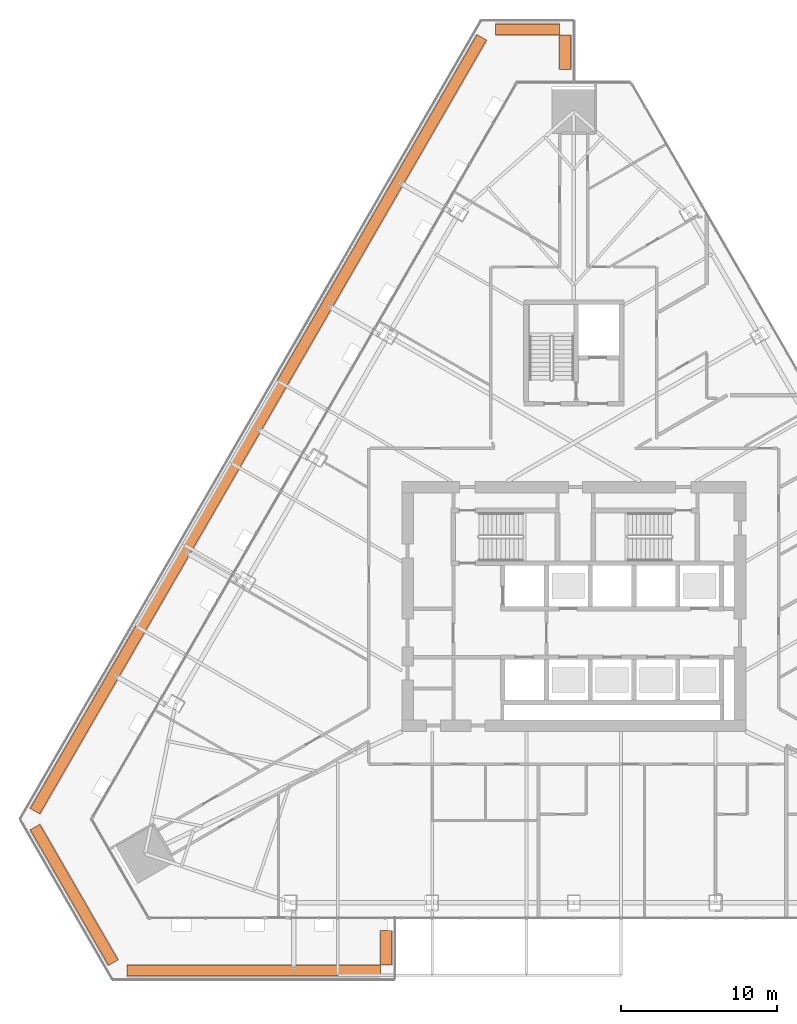
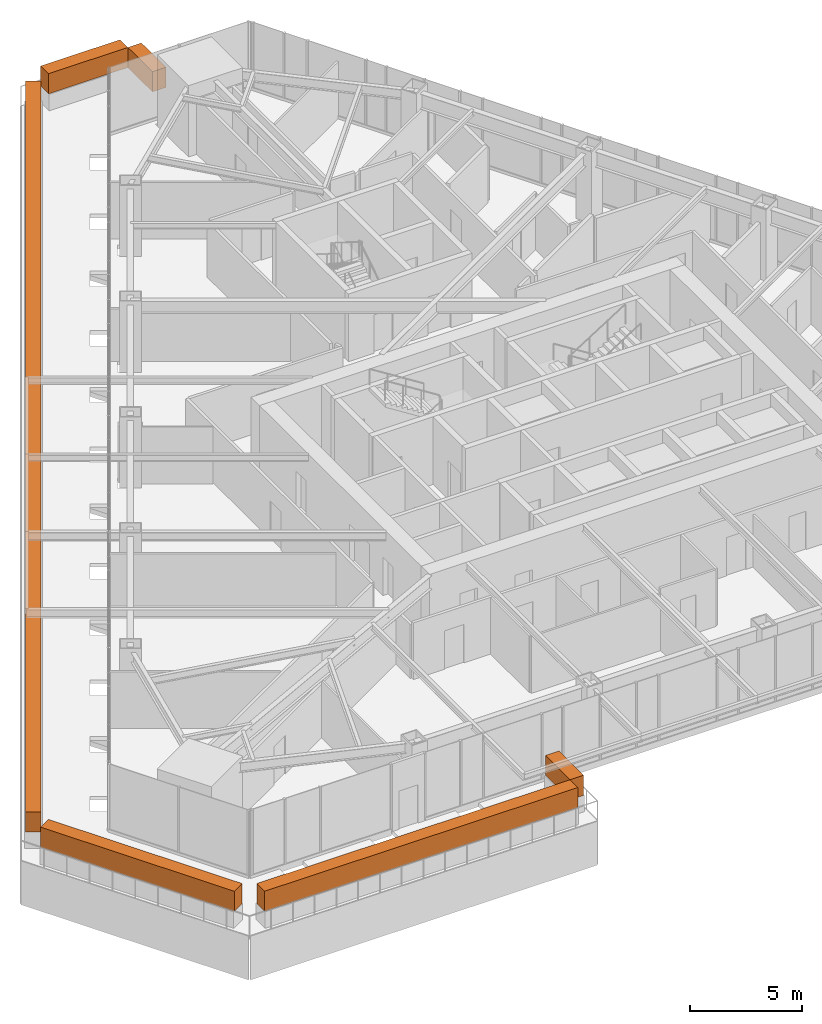
# One storey, part 35 of 35: 6 geographic elements.
"""IFC4 building model written with IfcOpenShell, lengths in metres."""

from ifc_helpers import new_model, si_unit, direction, frame, origin, origin_2d, place, context, subcontext, project, spatial, rectangle, extrude, material, type_object, element, save


model = new_model("IFC4")

# Units and contexts
model_context = context("Model", 3, precision=1e-05, world=origin(), true_north=direction((0.0, 1.0)))
body_context = subcontext(model_context, "Body", "Model", "MODEL_VIEW")
ifc_project = project(units=[si_unit("LENGTHUNIT", "METRE"), si_unit("AREAUNIT", "SQUARE_METRE"), si_unit("VOLUMEUNIT", "CUBIC_METRE"), si_unit("PLANEANGLEUNIT", "RADIAN"), si_unit("MASSUNIT", "GRAM", prefix="KILO")], contexts=[model_context])

# Site, building, storey
site_placement = place(None, origin())
site = spatial("IfcSite", under=ifc_project, at=site_placement, CompositionType="ELEMENT")
building_placement = place(site_placement, origin())
building = spatial("IfcBuilding", under=site, at=building_placement, Name="Firuza Gate Tower and Library", CompositionType="ELEMENT")
storey_placement = place(building_placement, frame((0.0, 0.0, 159.699951171875)))
storey = spatial("IfcBuildingStorey", under=building, at=storey_placement, Name="L36", CompositionType="ELEMENT", Elevation=159.699951171875)

# Geographic elements
ifc_material = material(Name="Foliage")
geographic_element_type = type_object("IfcGeographicElementType", Name="Planted hedge", PredefinedType="USERDEFINED", material=ifc_material)
geographic_element_1_placement = place(storey_placement, frame((74.449951171875, 110.4423828125, 0.89990234375), z_axis=(0.0, 0.0, 1.0), x_axis=(0.0, 1.0, 0.0)))
element("IfcGeographicElement", 1, at=geographic_element_1_placement, inside=storey, type_object=geographic_element_type, Name="Planted hedge", ObjectType="HEDGE", PredefinedType="USERDEFINED", context=body_context, shape_type="SweptSolid", body=[
    extrude(rectangle(XDim=2.199951171875, YDim=0.699951171875, at=origin_2d()), origin(), (0.0, 0.0, 1.0), 1.10009765625),
])
geographic_element_2_placement = place(storey_placement, frame((72.04541015625, 111.892333984375, 0.89990234375), z_axis=(0.0, 0.0, 1.0), x_axis=(-1.0, 0.0, 0.0)))
element("IfcGeographicElement", 2, at=geographic_element_2_placement, inside=storey, type_object=geographic_element_type, Name="Planted hedge", ObjectType="HEDGE", PredefinedType="USERDEFINED", context=body_context, shape_type="SweptSolid", body=[
    extrude(rectangle(XDim=4.109375, YDim=0.699951171875, at=origin_2d()), origin(), (0.0, 0.0, 1.0), 1.10009765625),
])
geographic_element_3_placement = place(storey_placement, frame((54.831298828125, 86.64453125, 0.89990234375), z_axis=(0.0, 0.0, 1.0), x_axis=(-0.5, -0.866025403784, 0.0)))
element("IfcGeographicElement", 3, at=geographic_element_3_placement, inside=storey, type_object=geographic_element_type, Name="Planted hedge", ObjectType="HEDGE", PredefinedType="USERDEFINED", context=body_context, shape_type="SweptSolid", body=[
    extrude(rectangle(XDim=57.142578125, YDim=0.699951171875, at=origin_2d()), origin(), (0.0, 0.0, 1.0), 1.10009765625),
])
geographic_element_4_placement = place(storey_placement, frame((43.05029296875, 56.5537109375, 0.89990234375), z_axis=(0.0, 0.0, 1.0), x_axis=(0.5, -0.866025403784, 0.0)))
element("IfcGeographicElement", 4, at=geographic_element_4_placement, inside=storey, type_object=geographic_element_type, Name="Planted hedge", ObjectType="HEDGE", PredefinedType="USERDEFINED", context=body_context, shape_type="SweptSolid", body=[
    extrude(rectangle(XDim=10.018798828125, YDim=0.699951171875, at=origin_2d()), origin(), (0.0, 0.0, 1.0), 1.10009765625),
])
geographic_element_5_placement = place(storey_placement, frame((54.537353515625, 51.711181640625, 0.89990234375), z_axis=(0.0, 0.0, 1.0), x_axis=(1.0, 0.0, 0.0)))
element("IfcGeographicElement", 5, at=geographic_element_5_placement, inside=storey, type_object=geographic_element_type, Name="Planted hedge", ObjectType="HEDGE", PredefinedType="USERDEFINED", context=body_context, shape_type="SweptSolid", body=[
    extrude(rectangle(XDim=16.21728515625, YDim=0.699951171875, at=origin_2d()), origin(), (0.0, 0.0, 1.0), 1.10009765625),
])
geographic_element_6_placement = place(storey_placement, frame((62.99609375, 53.1611328125, 0.89990234375), z_axis=(0.0, 0.0, 1.0), x_axis=(0.0, 1.0, 0.0)))
element("IfcGeographicElement", 6, at=geographic_element_6_placement, inside=storey, type_object=geographic_element_type, Name="Planted hedge", ObjectType="HEDGE", PredefinedType="USERDEFINED", context=body_context, shape_type="SweptSolid", body=[
    extrude(rectangle(XDim=2.199951171875, YDim=0.699951171875, at=origin_2d()), origin(), (0.0, 0.0, 1.0), 1.10009765625),
])

save(model, "model.ifc")
